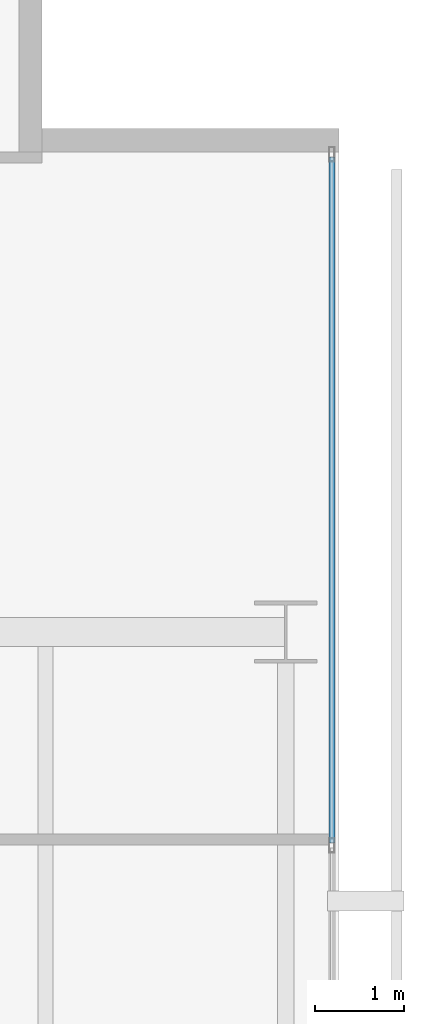
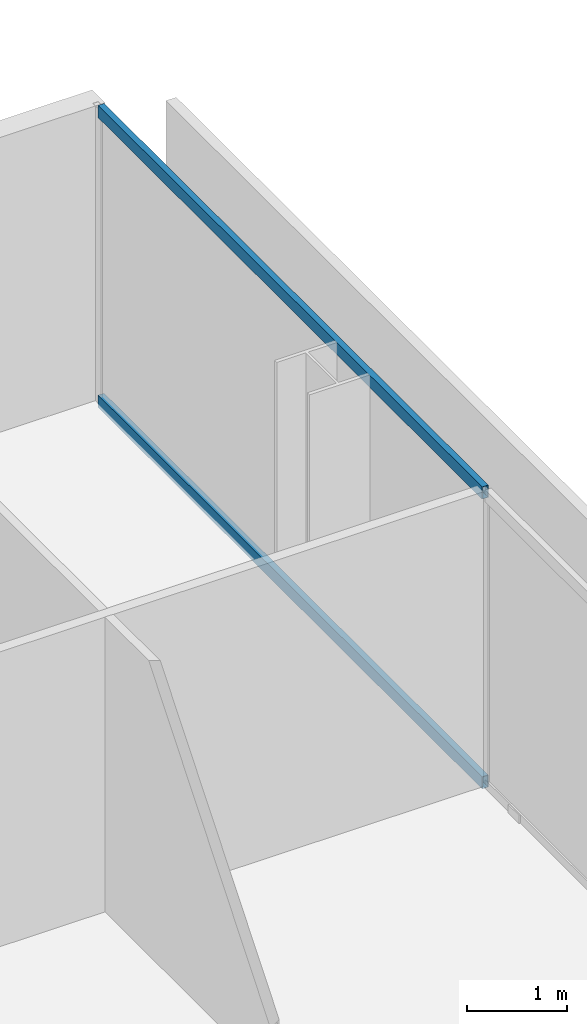
# One storey, part 29 of 40: 2 members, 1 element without a shape of its own.
"""IFC4 building model written with IfcOpenShell, lengths in metres."""

from ifc_helpers import new_model, si_unit, direction, frame, origin, origin_2d, place, context, subcontext, project, spatial, hollow_rectangle, extrude, material, layer, layer_set, material_profile, profile_set, type_object, element, aggregate, save


model = new_model("IFC4")

# Units and contexts
model_context = context("Model", 3, precision=1e-05, world=origin(), true_north=direction((0.0, 1.0)))
body_context = subcontext(model_context, "Body", "Model", "MODEL_VIEW")
ifc_project = project(units=[si_unit("LENGTHUNIT", "METRE"), si_unit("AREAUNIT", "SQUARE_METRE"), si_unit("VOLUMEUNIT", "CUBIC_METRE"), si_unit("PLANEANGLEUNIT", "RADIAN"), si_unit("MASSUNIT", "GRAM", prefix="KILO")], contexts=[model_context])

# Site, building, storey
site_placement = place(None, origin())
site = spatial("IfcSite", under=ifc_project, at=site_placement, CompositionType="ELEMENT")
building_placement = place(site_placement, origin())
building = spatial("IfcBuilding", under=site, at=building_placement, Name="Maruvema Waterfront Hotel and Observation Tower", CompositionType="ELEMENT")
storey_placement = place(building_placement, frame((0.0, 0.0, 38.5)))
storey = spatial("IfcBuildingStorey", under=building, at=storey_placement, Name="L08", CompositionType="ELEMENT", Elevation=38.5)

# Curtain wall, members
ifc_material_1 = material(Name="Anodised bronze aluminium and solar-control low-E IGU", Category="aluminium")
ifc_layer = layer(ifc_material_1, 0.159912109375, Name="Zone 1 Bronze Inner Thermal Curtain Wall System CW-02")
ifc_layer_set = layer_set([ifc_layer], Name="Anodised bronze aluminium and solar-control low-E IGU")
curtain_wall_type = type_object("IfcCurtainWallType", Name="Zone 1 Bronze Inner Thermal Curtain Wall System CW-02", PredefinedType="USERDEFINED", material=ifc_layer_set)
curtain_wall_placement = place(storey_placement, origin())
curtain_wall = element("IfcCurtainWall", 1, at=curtain_wall_placement, inside=storey, type_object=curtain_wall_type, Name="L08 Curtain Wall CW-L08-E", ObjectType="UNITISED CURTAIN WALL", PredefinedType="USERDEFINED")
ifc_material_2 = material(Name="Anodised architectural bronze aluminium", Category="aluminium")
ifc_material_profile = material_profile(ifc_material_2, hollow_rectangle(XDim=0.070068359375, YDim=0.14990234375, WallThickness=0.00390625, at=origin_2d()), Name="ALU-T70x150")
ifc_profile_set = profile_set([ifc_material_profile], Name="Anodised architectural bronze aluminium")
member_type = type_object("IfcMemberType", Name="Curtain Wall Horizontal Transom ALU-T70x150", PredefinedType="USERDEFINED", material=ifc_profile_set)
member_1_placement = place(storey_placement, frame((64.719970703125, 42.6298828125, 0.030029296875), z_axis=(0.0, 1.0, 0.0), x_axis=(-1.0, 0.0, 0.0)))
member_1 = element("IfcMember", 2, at=member_1_placement, type_object=member_type, Name="CW-02 transom 6.1", ObjectType="TRANSOM", PredefinedType="USERDEFINED", context=body_context, shape_type="SweptSolid", body=[
    extrude(hollow_rectangle(XDim=0.070068359375, YDim=0.14990234375, WallThickness=0.00390625, at=origin_2d()), origin(), (0.0, 0.0, 1.0), 7.710205078125),
])
member_2_placement = place(storey_placement, frame((64.719970703125, 42.6298828125, 3.580078125), z_axis=(0.0, 1.0, 0.0), x_axis=(-1.0, 0.0, 0.0)))
member_2 = element("IfcMember", 3, at=member_2_placement, type_object=member_type, Name="CW-02 transom 6.2", ObjectType="TRANSOM", PredefinedType="USERDEFINED", context=body_context, shape_type="SweptSolid", body=[
    extrude(hollow_rectangle(XDim=0.070068359375, YDim=0.14990234375, WallThickness=0.00390625, at=origin_2d()), origin(), (0.0, 0.0, 1.0), 7.710205078125),
])
aggregate(curtain_wall, [member_1, member_2])

save(model, "model.ifc")
